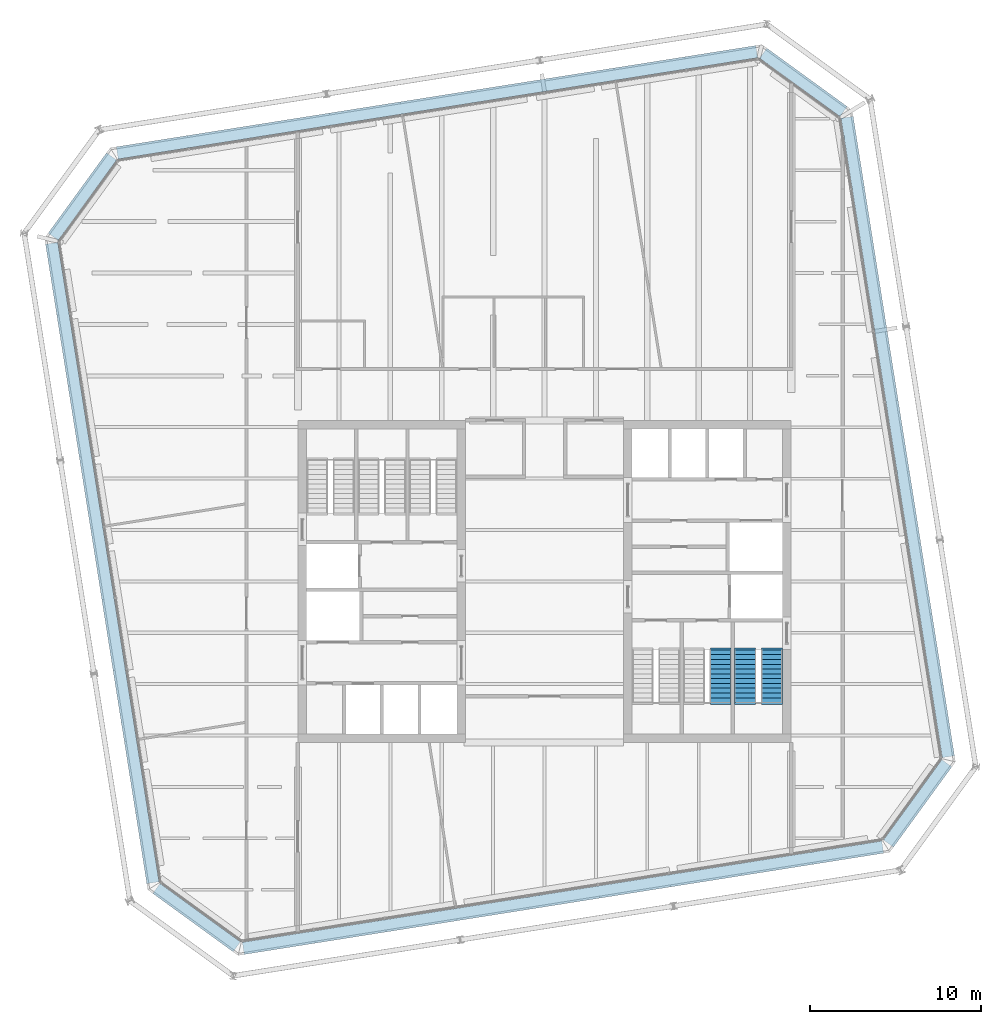
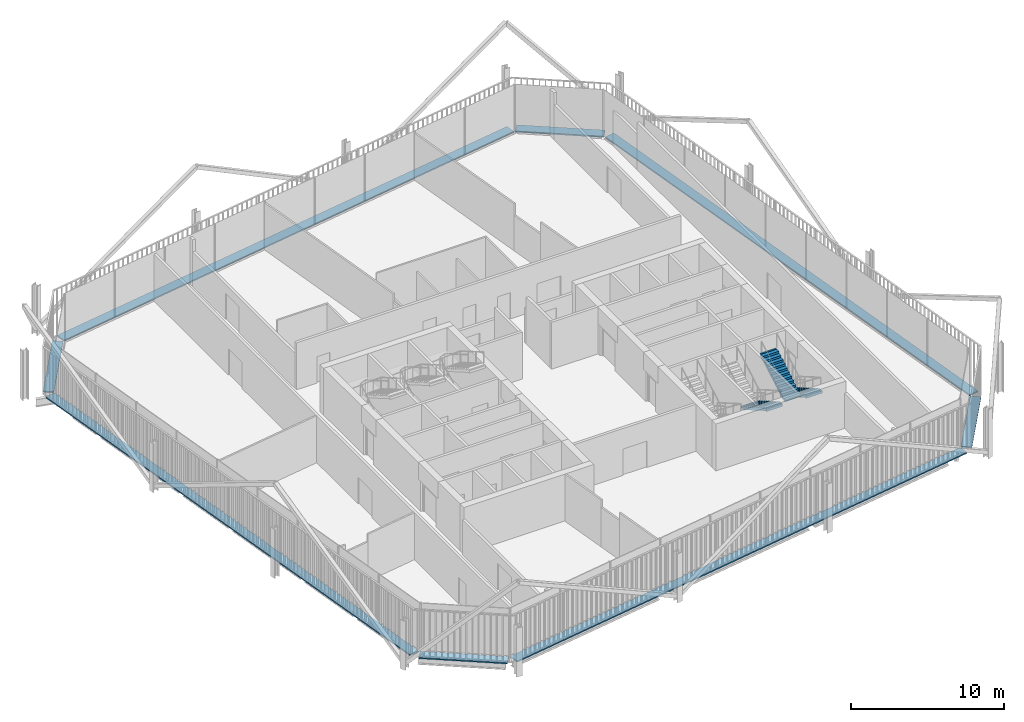
# One storey, part 19 of 20: 8 discrete accessories, 3 stair flights, 2 elements without a shape of their own.
"""IFC4 building model written with IfcOpenShell, lengths in metres."""

from ifc_helpers import new_model, si_unit, direction, frame, origin, origin_2d, place, context, subcontext, project, spatial, polyline, rectangle, outline, extrude, material, type_object, element, aggregate, save


model = new_model("IFC4")

# Units and contexts
model_context = context("Model", 3, precision=1e-05, world=origin(), true_north=direction((0.0, 1.0)))
body_context = subcontext(model_context, "Body", "Model", "MODEL_VIEW")
ifc_project = project(units=[si_unit("LENGTHUNIT", "METRE"), si_unit("AREAUNIT", "SQUARE_METRE"), si_unit("VOLUMEUNIT", "CUBIC_METRE"), si_unit("PLANEANGLEUNIT", "RADIAN"), si_unit("MASSUNIT", "GRAM", prefix="KILO")], contexts=[model_context])

# Site, building, storey
site_placement = place(None, origin())
site = spatial("IfcSite", under=ifc_project, at=site_placement, CompositionType="ELEMENT")
building_placement = place(site_placement, origin())
building = spatial("IfcBuilding", under=site, at=building_placement, Name="Millrace Tower", CompositionType="ELEMENT")
storey_placement = place(building_placement, frame((0.0, 0.0, 204.699951171875)))
storey = spatial("IfcBuildingStorey", under=building, at=storey_placement, Name="L46", CompositionType="ELEMENT", Elevation=204.699951171875)

# Stair, stair flights
ifc_material_1 = material(Name="Concrete C35", Category="concrete")
stair_type = type_object("IfcStairType", Name="Exit stair", PredefinedType="HALF_TURN_STAIR", material=ifc_material_1)
placement = place(storey_placement, origin())
stair_1 = element("IfcStair", 1, at=placement, inside=storey, type_object=stair_type, Name="Stair 1 E L46", PredefinedType="HALF_TURN_STAIR")
ifc_material_2 = material(Name="Concrete C35", Category="concrete")
stair_flight_type = type_object("IfcStairFlightType", Name="Exit stair flight", PredefinedType="STRAIGHT", material=ifc_material_2)
stair_flight_1_placement = place(storey_placement, frame((13.2900390625, -4.0, 0.0), z_axis=(0.0, 0.0, 1.0), x_axis=(0.0, -1.0, 0.0)))
stair_flight_1 = element("IfcStairFlight", 2, at=stair_flight_1_placement, type_object=stair_flight_type, Name="ST12 flight 1", NumberOfRisers=12, NumberOfTreads=11, PredefinedType="STRAIGHT", RiserHeight=0.1625, TreadLength=0.28, context=body_context, shape_type="SweptSolid", body=[
    extrude(outline(polyline([(-0.1201171875, -0.0400390625), (-0.1201171875, 0.0), (0.0, 0.0), (0.0, 0.16259765625), (0.280029296875, 0.16259765625), (0.280029296875, 0.324951171875), (0.56005859375, 0.324951171875), (0.56005859375, 0.487548828125), (0.840087890625, 0.487548828125), (0.840087890625, 0.64990234375), (1.1201171875, 0.64990234375), (1.1201171875, 0.8125), (1.39990234375, 0.8125), (1.39990234375, 0.97509765625), (1.679931640625, 0.97509765625), (1.679931640625, 1.137451171875), (1.9599609375, 1.137451171875), (1.9599609375, 1.300048828125), (2.239990234375, 1.300048828125), (2.239990234375, 1.46240234375), (2.52001953125, 1.46240234375), (2.52001953125, 1.625), (2.800048828125, 1.625), (2.800048828125, 1.78759765625), (3.080078125, 1.78759765625), (3.080078125, 1.8076171875), (3.199951171875, 1.8076171875), (3.199951171875, 1.6142578125), (3.080078125, 1.6142578125), (0.298583984375, 0.0), (0.298583984375, -0.0400390625), (-0.1201171875, -0.0400390625)])), frame((0.0, 0.60986328125, 0.0), z_axis=(0.0, -1.0, 0.0), x_axis=(1.0, 0.0, 0.0)), (0.0, 0.0, 1.0), 1.219970703125),
])
stair_flight_2_placement = place(storey_placement, frame((11.7099609375, -7.080078125, 1.949951171875), z_axis=(0.0, 0.0, 1.0), x_axis=(0.0, 1.0, 0.0)))
stair_flight_2 = element("IfcStairFlight", 3, at=stair_flight_2_placement, type_object=stair_flight_type, Name="ST12 flight 2", NumberOfRisers=12, NumberOfTreads=11, PredefinedType="STRAIGHT", RiserHeight=0.1625, TreadLength=0.28, context=body_context, shape_type="SweptSolid", body=[
    extrude(outline(polyline([(-0.1201171875, -0.0400390625), (-0.1201171875, 0.0), (0.0, 0.0), (0.0, 0.16259765625), (0.280029296875, 0.16259765625), (0.280029296875, 0.324951171875), (0.56005859375, 0.324951171875), (0.56005859375, 0.487548828125), (0.840087890625, 0.487548828125), (0.840087890625, 0.64990234375), (1.1201171875, 0.64990234375), (1.1201171875, 0.8125), (1.39990234375, 0.8125), (1.39990234375, 0.97509765625), (1.679931640625, 0.97509765625), (1.679931640625, 1.137451171875), (1.9599609375, 1.137451171875), (1.9599609375, 1.300048828125), (2.239990234375, 1.300048828125), (2.239990234375, 1.46240234375), (2.52001953125, 1.46240234375), (2.52001953125, 1.625), (2.800048828125, 1.625), (2.800048828125, 1.78759765625), (3.080078125, 1.78759765625), (3.080078125, 1.8076171875), (3.199951171875, 1.8076171875), (3.199951171875, 1.6142578125), (3.080078125, 1.6142578125), (0.298583984375, 0.0), (0.298583984375, -0.0400390625), (-0.1201171875, -0.0400390625)])), frame((0.0, 0.60986328125, 0.0), z_axis=(0.0, -1.0, 0.0), x_axis=(1.0, 0.0, 0.0)), (0.0, 0.0, 1.0), 1.219970703125),
])
aggregate(stair_1, [stair_flight_1, stair_flight_2])

# Stair, stair flight
stair_2 = element("IfcStair", 4, at=placement, inside=storey, type_object=stair_type, Name="Stair 2 E L46", PredefinedType="HALF_TURN_STAIR")
stair_flight_3_placement = place(storey_placement, frame((10.2900390625, -4.0, 0.0), z_axis=(0.0, 0.0, 1.0), x_axis=(0.0, -1.0, 0.0)))
stair_flight_3 = element("IfcStairFlight", 5, at=stair_flight_3_placement, type_object=stair_flight_type, Name="ST12 flight 1", NumberOfRisers=12, NumberOfTreads=11, PredefinedType="STRAIGHT", RiserHeight=0.1625, TreadLength=0.28, context=body_context, shape_type="SweptSolid", body=[
    extrude(outline(polyline([(-0.1201171875, -0.0400390625), (-0.1201171875, 0.0), (0.0, 0.0), (0.0, 0.16259765625), (0.280029296875, 0.16259765625), (0.280029296875, 0.324951171875), (0.56005859375, 0.324951171875), (0.56005859375, 0.487548828125), (0.840087890625, 0.487548828125), (0.840087890625, 0.64990234375), (1.1201171875, 0.64990234375), (1.1201171875, 0.8125), (1.39990234375, 0.8125), (1.39990234375, 0.97509765625), (1.679931640625, 0.97509765625), (1.679931640625, 1.137451171875), (1.9599609375, 1.137451171875), (1.9599609375, 1.300048828125), (2.239990234375, 1.300048828125), (2.239990234375, 1.46240234375), (2.52001953125, 1.46240234375), (2.52001953125, 1.625), (2.800048828125, 1.625), (2.800048828125, 1.78759765625), (3.080078125, 1.78759765625), (3.080078125, 1.8076171875), (3.199951171875, 1.8076171875), (3.199951171875, 1.6142578125), (3.080078125, 1.6142578125), (0.298583984375, 0.0), (0.298583984375, -0.0400390625), (-0.1201171875, -0.0400390625)])), frame((0.0, 0.60986328125, 0.0), z_axis=(0.0, -1.0, 0.0), x_axis=(1.0, 0.0, 0.0)), (0.0, 0.0, 1.0), 1.219970703125),
])
aggregate(stair_2, [stair_flight_3])

# Discrete accessories
ifc_material_3 = material(Name="Stainless steel ASTM A240 type 316", Category="steel")
discrete_accessory_type = type_object("IfcDiscreteAccessoryType", Name="Thermally broken screen support rail", PredefinedType="BRACKET", material=ifc_material_3)
discrete_accessory_1_placement = place(storey_placement, frame((-20.314453125, -19.632080078125, 0.0), z_axis=(0.0, 0.0, 1.0), x_axis=(0.809016955361, -0.587785305991, 0.0)))
element("IfcDiscreteAccessory", 6, at=discrete_accessory_1_placement, inside=storey, type_object=discrete_accessory_type, Name="Thermally broken screen support rail D-F01 L46 1", PredefinedType="BRACKET", context=body_context, shape_type="SweptSolid", body=[
    extrude(rectangle(XDim=5.79833984375, YDim=0.719970703125, at=origin_2d()), origin(), (0.0, 0.0, 1.0), 0.10009765625),
])
discrete_accessory_2_placement = place(storey_placement, frame((1.077880859375, -18.470458984375, 0.0), z_axis=(0.0, 0.0, 1.0), x_axis=(0.987688339511, 0.156434471884, 0.0)))
element("IfcDiscreteAccessory", 7, at=discrete_accessory_2_placement, inside=storey, type_object=discrete_accessory_type, Name="Thermally broken screen support rail D-F02 L46 1", PredefinedType="BRACKET", context=body_context, shape_type="SweptSolid", body=[
    extrude(rectangle(XDim=37.800048828125, YDim=0.719970703125, at=origin_2d()), origin(), (0.0, 0.0, 1.0), 0.10009765625),
])
discrete_accessory_3_placement = place(storey_placement, frame((21.781982421875, -12.964599609375, 0.0), z_axis=(0.0, 0.0, 1.0), x_axis=(0.587785305991, 0.809016955361, 0.0)))
element("IfcDiscreteAccessory", 8, at=discrete_accessory_3_placement, inside=storey, type_object=discrete_accessory_type, Name="Thermally broken screen support rail D-F03 L46 1", PredefinedType="BRACKET", context=body_context, shape_type="SweptSolid", body=[
    extrude(rectangle(XDim=5.79833984375, YDim=0.719970703125, at=origin_2d()), origin(), (0.0, 0.0, 1.0), 0.10009765625),
])
discrete_accessory_4_placement = place(storey_placement, frame((20.62060546875, 8.427734375, 0.0), z_axis=(0.0, 0.0, 1.0), x_axis=(-0.156434471884, 0.987688339511, 0.0)))
element("IfcDiscreteAccessory", 9, at=discrete_accessory_4_placement, inside=storey, type_object=discrete_accessory_type, Name="Thermally broken screen support rail D-F04 L46 1", PredefinedType="BRACKET", context=body_context, shape_type="SweptSolid", body=[
    extrude(rectangle(XDim=37.800048828125, YDim=0.719970703125, at=origin_2d()), origin(), (0.0, 0.0, 1.0), 0.10009765625),
])
discrete_accessory_5_placement = place(storey_placement, frame((15.114501953125, 29.132080078125, 0.0), z_axis=(0.0, 0.0, 1.0), x_axis=(-0.809016955361, 0.587785305991, 0.0)))
element("IfcDiscreteAccessory", 10, at=discrete_accessory_5_placement, inside=storey, type_object=discrete_accessory_type, Name="Thermally broken screen support rail D-F05 L46 1", PredefinedType="BRACKET", context=body_context, shape_type="SweptSolid", body=[
    extrude(rectangle(XDim=5.79833984375, YDim=0.719970703125, at=origin_2d()), origin(), (0.0, 0.0, 1.0), 0.10009765625),
])
discrete_accessory_6_placement = place(storey_placement, frame((-6.27783203125, 27.970458984375, 0.0), z_axis=(0.0, 0.0, 1.0), x_axis=(-0.987688339511, -0.156434471884, 0.0)))
element("IfcDiscreteAccessory", 11, at=discrete_accessory_6_placement, inside=storey, type_object=discrete_accessory_type, Name="Thermally broken screen support rail D-F06 L46 1", PredefinedType="BRACKET", context=body_context, shape_type="SweptSolid", body=[
    extrude(rectangle(XDim=37.800048828125, YDim=0.719970703125, at=origin_2d()), origin(), (0.0, 0.0, 1.0), 0.10009765625),
])
discrete_accessory_7_placement = place(storey_placement, frame((-26.98193359375, 22.464599609375, 0.0), z_axis=(0.0, 0.0, 1.0), x_axis=(-0.587785305991, -0.809016955361, 0.0)))
element("IfcDiscreteAccessory", 12, at=discrete_accessory_7_placement, inside=storey, type_object=discrete_accessory_type, Name="Thermally broken screen support rail D-F07 L46 1", PredefinedType="BRACKET", context=body_context, shape_type="SweptSolid", body=[
    extrude(rectangle(XDim=5.79833984375, YDim=0.719970703125, at=origin_2d()), origin(), (0.0, 0.0, 1.0), 0.10009765625),
])
discrete_accessory_8_placement = place(storey_placement, frame((-25.820556640625, 1.072265625, 0.0), z_axis=(0.0, 0.0, 1.0), x_axis=(0.156434471884, -0.987688339511, 0.0)))
element("IfcDiscreteAccessory", 13, at=discrete_accessory_8_placement, inside=storey, type_object=discrete_accessory_type, Name="Thermally broken screen support rail D-F08 L46 1", PredefinedType="BRACKET", context=body_context, shape_type="SweptSolid", body=[
    extrude(rectangle(XDim=37.800048828125, YDim=0.719970703125, at=origin_2d()), origin(), (0.0, 0.0, 1.0), 0.10009765625),
])

save(model, "model.ifc")
